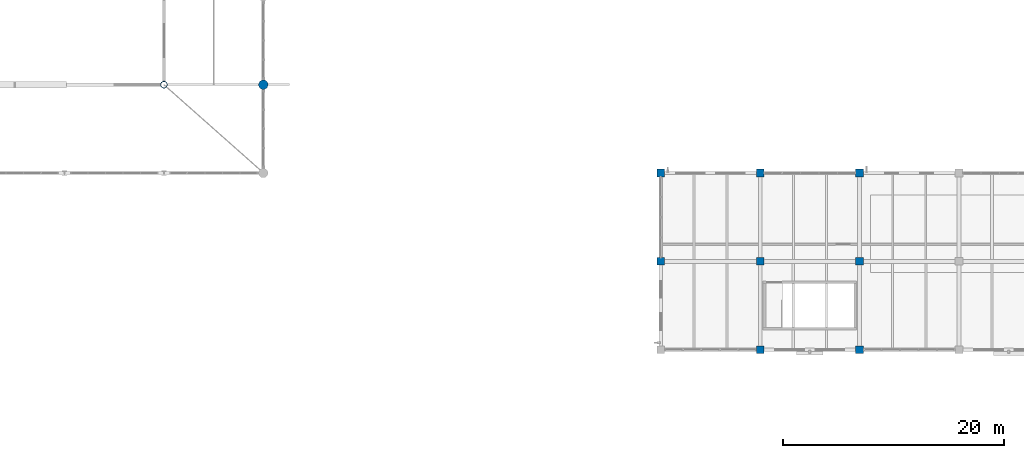
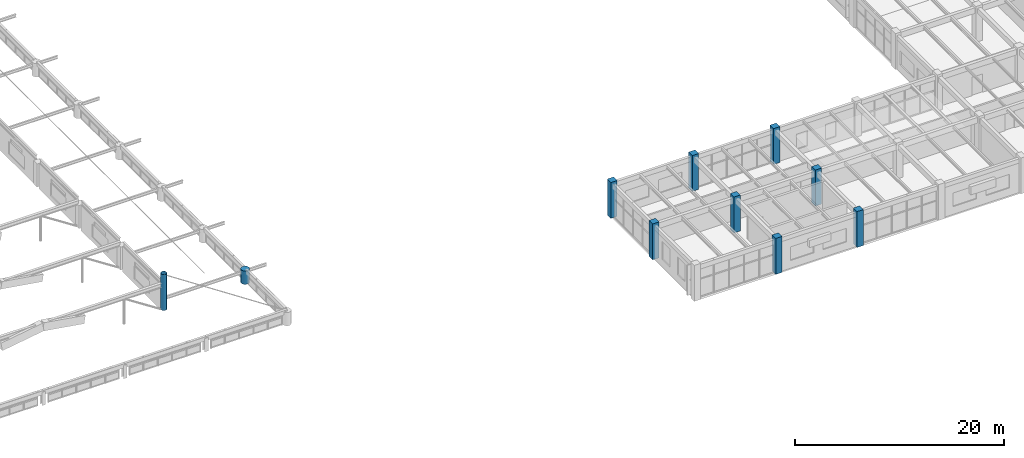
# One storey, part 4 of 128: 10 columns.
"""IFC4 building model written with IfcOpenShell, lengths in metres."""

from ifc_helpers import new_model, si_unit, derived_unit, direction, frame, origin, origin_2d, place, context, subcontext, project, spatial, rectangle, circle, hollow_circle, extrude, material, material_profile, profile_set, type_object, element, save


model = new_model("IFC4")

# Units and contexts
model_context = context("Model", 3, precision=1e-05, world=origin(), true_north=direction((0.0, 1.0)))
body_context = subcontext(model_context, "Body", "Model", "MODEL_VIEW")
ifc_project = project(units=[si_unit("LENGTHUNIT", "METRE"), si_unit("AREAUNIT", "SQUARE_METRE"), si_unit("VOLUMEUNIT", "CUBIC_METRE"), si_unit("PLANEANGLEUNIT", "RADIAN"), si_unit("MASSUNIT", "GRAM", prefix="KILO"), derived_unit("THERMALTRANSMITTANCEUNIT", [(si_unit("MASSUNIT", "GRAM", prefix="KILO"), 1), (si_unit("TIMEUNIT", "SECOND"), -3), (si_unit("THERMODYNAMICTEMPERATUREUNIT", "KELVIN"), -1)])], contexts=[model_context])

# Site, building, storey
site_placement = place(None, origin())
site = spatial("IfcSite", under=ifc_project, at=site_placement, CompositionType="ELEMENT")
building_placement = place(site_placement, origin())
building = spatial("IfcBuilding", under=site, at=building_placement, Name="Zhenchuan Archway Interchange", CompositionType="ELEMENT")
storey_placement = place(building_placement, frame((0.0, 0.0, 14.39990234375)))
storey = spatial("IfcBuildingStorey", under=building, at=storey_placement, Name="L03", CompositionType="ELEMENT", Elevation=14.39990234375)

# Columns
ifc_material_1 = material(Name="Concrete C40", Category="concrete")
ifc_material_profile_1 = material_profile(ifc_material_1, rectangle(XDim=0.699951171875, YDim=0.699951171875, at=origin_2d()), Name="RC 700x700")
ifc_profile_set_1 = profile_set([ifc_material_profile_1], Name="Concrete C40")
column_type_1 = type_object("IfcColumnType", Name="COL_RC_700", PredefinedType="COLUMN", material=ifc_profile_set_1)
for number, where, z_axis, x_axis, name in (
    (1, (108.0, 16.0, 0.0), (0.0, 0.0, 1.0), (1.0, 0.0, 0.0), "Column 13/C (L03)"),
    (2, (108.0, 24.0, 0.0), (0.0, 0.0, 1.0), (1.0, 0.0, 0.0), "Column 13/D (L03)"),
    (3, (117.0, 8.0, 0.0), (0.0, 0.0, 1.0), (1.0, 0.0, 0.0), "Column 14/B (L03)"),
    (4, (117.0, 16.0, 0.0), (0.0, 0.0, 1.0), (1.0, 0.0, 0.0), "Column 14/C (L03)"),
    (5, (117.0, 24.0, 0.0), (0.0, 0.0, 1.0), (1.0, 0.0, 0.0), "Column 14/D (L03)"),
    (6, (126.0, 8.0, 0.0), (0.0, 0.0, 1.0), (1.0, 0.0, 0.0), "Column 15/B (L03)"),
    (7, (126.0, 16.0, 0.0), (0.0, 0.0, 1.0), (1.0, 0.0, 0.0), "Column 15/C (L03)"),
    (8, (126.0, 24.0, 0.0), (0.0, 0.0, 1.0), (1.0, 0.0, 0.0), "Column 15/D (L03)"),
):
    element("IfcColumn", number, at=place(storey_placement, frame(where, z_axis=z_axis, x_axis=x_axis)), inside=storey, type_object=column_type_1, Name=name, PredefinedType="COLUMN", context=body_context, shape_type="SweptSolid", body=[
        extrude(rectangle(XDim=0.699951171875, YDim=0.699951171875, at=origin_2d()), origin(), (0.0, 0.0, 1.0), 4.2001953125),
    ])
ifc_material_profile_2 = material_profile(ifc_material_1, circle(Radius=0.425048828125, at=origin_2d()), Name="RC D850")
ifc_profile_set_2 = profile_set([ifc_material_profile_2], Name="Concrete C40")
column_type_2 = type_object("IfcColumnType", Name="COL_RC_D850", PredefinedType="COLUMN", material=ifc_profile_set_2)
column_1_placement = place(storey_placement, frame((72.0, 32.0, 0.0), z_axis=(0.0, 0.0, 1.0), x_axis=(1.0, 0.0, 0.0)))
element("IfcColumn", 9, at=column_1_placement, inside=storey, type_object=column_type_2, Name="Column 9/E (L03)", PredefinedType="COLUMN", context=body_context, shape_type="SweptSolid", body=[
    extrude(circle(Radius=0.425048828125, at=origin_2d()), origin(), (0.0, 0.0, 1.0), 1.56005859375),
])
ifc_material_2 = material(Name="Steel Q390", Category="steel")
ifc_material_profile_3 = material_profile(ifc_material_2, hollow_circle(Radius=0.304931640625, WallThickness=0.02001953125, at=origin_2d()), Name="CHS 610x20")
ifc_profile_set_3 = profile_set([ifc_material_profile_3], Name="Steel Q390")
column_type_3 = type_object("IfcColumnType", Name="COL_STL_CHS610", PredefinedType="COLUMN", material=ifc_profile_set_3)
column_2_placement = place(storey_placement, frame((63.0, 32.0, 0.0), z_axis=(0.0, 0.0, 1.0), x_axis=(1.0, 0.0, 0.0)))
element("IfcColumn", 10, at=column_2_placement, inside=storey, type_object=column_type_3, Name="Column 8/E (L03)", PredefinedType="COLUMN", context=body_context, shape_type="SweptSolid", body=[
    extrude(hollow_circle(Radius=0.304931640625, WallThickness=0.02001953125, at=origin_2d()), origin(), (0.0, 0.0, 1.0), 4.2001953125),
])

save(model, "model.ifc")
